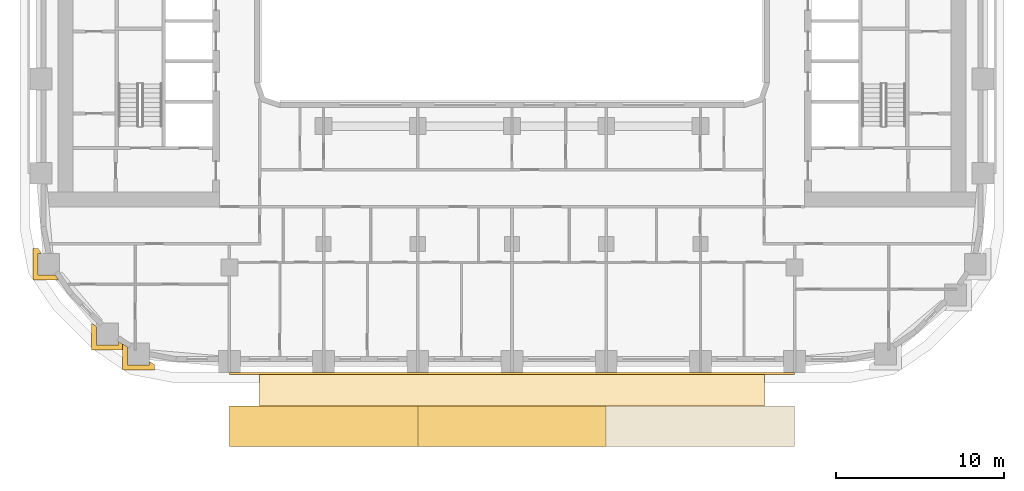
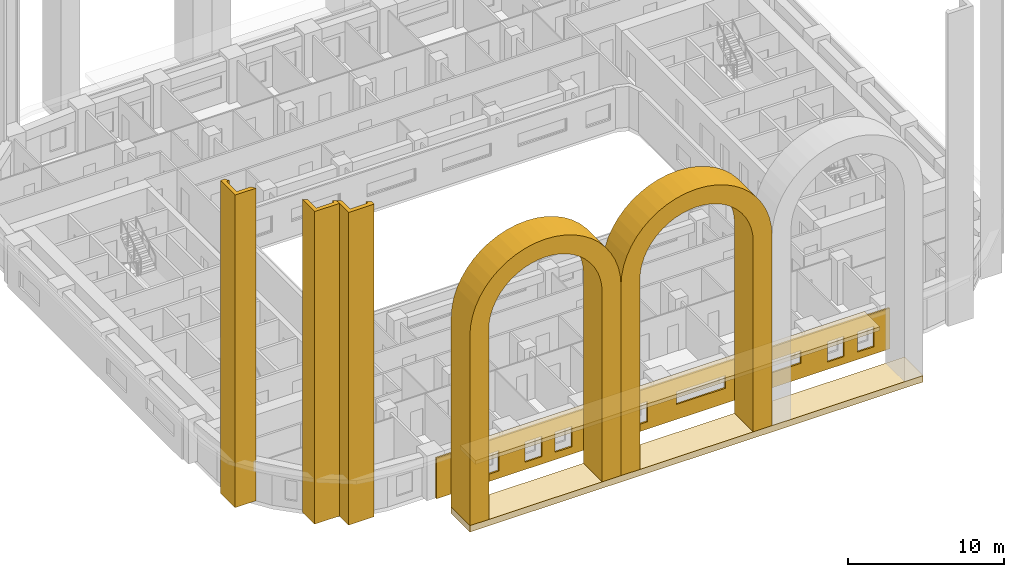
# One storey, part 12 of 19: 8 coverings.
"""IFC4 building model written with IfcOpenShell, lengths in metres."""

from ifc_helpers import new_model, si_unit, direction, frame, origin, place, context, subcontext, project, spatial, polyline, outline, extrude, material, layer, layer_set, type_object, element, save


model = new_model("IFC4")

# Units and contexts
model_context = context("Model", 3, precision=1e-05, world=origin(), true_north=direction((0.0, 1.0)))
body_context = subcontext(model_context, "Body", "Model", "MODEL_VIEW")
ifc_project = project(units=[si_unit("LENGTHUNIT", "METRE"), si_unit("AREAUNIT", "SQUARE_METRE"), si_unit("VOLUMEUNIT", "CUBIC_METRE"), si_unit("PLANEANGLEUNIT", "RADIAN"), si_unit("MASSUNIT", "GRAM", prefix="KILO")], contexts=[model_context])

# Site, building, storey
site_placement = place(None, origin())
site = spatial("IfcSite", under=ifc_project, at=site_placement, CompositionType="ELEMENT")
building_placement = place(site_placement, origin())
building = spatial("IfcBuilding", under=site, at=building_placement, Name="Kiln Ring Residences", CompositionType="ELEMENT")
storey_placement = place(building_placement, frame((0.0, 0.0, 83.300048828125)))
storey = spatial("IfcBuildingStorey", under=building, at=storey_placement, Name="L20", CompositionType="ELEMENT", Elevation=83.300048828125)

# Coverings
ifc_material_1 = material(Name="Brick masonry, dark clay brick", Category="masonry")
ifc_layer_1 = layer(ifc_material_1, 0.5)
ifc_layer_set_1 = layer_set([ifc_layer_1], Name="ARCADE PLINTH 500")
covering_type_1 = type_object("IfcCoveringType", Name="ARCADE PLINTH 500", PredefinedType="CLADDING", material=ifc_layer_set_1)
placement = place(storey_placement, origin())
element("IfcCovering", 1, at=placement, inside=storey, type_object=covering_type_1, Name="ARCADE PLINTH Z2 S", PredefinedType="CLADDING", context=body_context, shape_type="SweptSolid", body=[
    extrude(outline(polyline([(-16.800048828125, -27.449951171875), (16.800048828125, -27.449951171875), (16.800048828125, -25.050048828125), (-16.800048828125, -25.050048828125), (-16.800048828125, -27.449951171875)])), origin(), (0.0, 0.0, 1.0), 0.5),
])
ifc_material_2 = material(Name="Brick masonry, dark clay brick", Category="masonry")
ifc_layer_2 = layer(ifc_material_2, 1.39990234375)
ifc_layer_set_2 = layer_set([ifc_layer_2], Name="ARCH SURROUND 2400")
covering_type_2 = type_object("IfcCoveringType", Name="ARCH SURROUND 2400", PredefinedType="CLADDING", material=ifc_layer_set_2)
covering_2_placement = place(storey_placement, frame((-5.60009765625, -26.25, 0.5), z_axis=(0.0, 0.0, 1.0), x_axis=(-1.0, 0.0, 0.0)))
element("IfcCovering", 2, at=covering_2_placement, inside=storey, type_object=covering_type_2, Name="ARCH SURROUND Z2 S1.1", PredefinedType="CLADDING", context=body_context, shape_type="SweptSolid", body=[
    extrude(outline(polyline([(11.199951171875, 0.0), (11.199951171875, 14.89990234375), (11.152099609375, 15.630859375), (11.00927734375, 16.349365234375), (10.773681640625, 17.04296875), (10.44970703125, 17.699951171875), (10.042724609375, 18.30908203125), (9.559814453125, 18.85986328125), (9.009033203125, 19.3427734375), (8.39990234375, 19.749755859375), (7.742919921875, 20.07373046875), (7.04931640625, 20.30908203125), (6.330810546875, 20.4521484375), (5.60009765625, 20.5), (4.869140625, 20.4521484375), (4.150634765625, 20.30908203125), (3.45703125, 20.07373046875), (2.800048828125, 19.749755859375), (2.19091796875, 19.3427734375), (1.64013671875, 18.85986328125), (1.1572265625, 18.30908203125), (0.750244140625, 17.699951171875), (0.42626953125, 17.04296875), (0.19091796875, 16.349365234375), (0.0478515625, 15.630859375), (0.0, 14.89990234375), (0.0, 0.0), (1.39990234375, 0.0), (1.39990234375, 14.89990234375), (1.435791015625, 15.4482421875), (1.543212890625, 15.987060546875), (1.7197265625, 16.50732421875), (1.962646484375, 17.0), (2.267822265625, 17.456787109375), (2.630126953125, 17.869873046875), (3.043212890625, 18.23193359375), (3.5, 18.537353515625), (3.99267578125, 18.7802734375), (4.512939453125, 18.956787109375), (5.0517578125, 19.06396484375), (5.60009765625, 19.099853515625), (6.148193359375, 19.06396484375), (6.68701171875, 18.956787109375), (7.207275390625, 18.7802734375), (7.699951171875, 18.537353515625), (8.15673828125, 18.23193359375), (8.56982421875, 17.869873046875), (8.93212890625, 17.456787109375), (9.2373046875, 17.0), (9.480224609375, 16.50732421875), (9.656982421875, 15.987060546875), (9.76416015625, 15.4482421875), (9.800048828125, 14.89990234375), (9.800048828125, 0.0), (11.199951171875, 0.0)])), frame((0.0, 1.199951171875, 0.0), z_axis=(0.0, -1.0, 0.0), x_axis=(1.0, 0.0, 0.0)), (0.0, 0.0, 1.0), 2.39990234375),
])
covering_3_placement = place(storey_placement, frame((5.60009765625, -26.25, 0.5), z_axis=(0.0, 0.0, 1.0), x_axis=(-1.0, 0.0, 0.0)))
element("IfcCovering", 3, at=covering_3_placement, inside=storey, type_object=covering_type_2, Name="ARCH SURROUND Z2 S1.2", PredefinedType="CLADDING", context=body_context, shape_type="SweptSolid", body=[
    extrude(outline(polyline([(11.199951171875, 0.0), (11.199951171875, 14.89990234375), (11.152099609375, 15.630859375), (11.00927734375, 16.349365234375), (10.773681640625, 17.04296875), (10.44970703125, 17.699951171875), (10.042724609375, 18.30908203125), (9.559814453125, 18.85986328125), (9.009033203125, 19.3427734375), (8.39990234375, 19.749755859375), (7.742919921875, 20.07373046875), (7.04931640625, 20.30908203125), (6.330810546875, 20.4521484375), (5.60009765625, 20.5), (4.869140625, 20.4521484375), (4.150634765625, 20.30908203125), (3.45703125, 20.07373046875), (2.800048828125, 19.749755859375), (2.19091796875, 19.3427734375), (1.64013671875, 18.85986328125), (1.1572265625, 18.30908203125), (0.750244140625, 17.699951171875), (0.42626953125, 17.04296875), (0.19091796875, 16.349365234375), (0.0478515625, 15.630859375), (0.0, 14.89990234375), (0.0, 0.0), (1.39990234375, 0.0), (1.39990234375, 14.89990234375), (1.435791015625, 15.4482421875), (1.543212890625, 15.987060546875), (1.7197265625, 16.50732421875), (1.962646484375, 17.0), (2.267822265625, 17.456787109375), (2.630126953125, 17.869873046875), (3.043212890625, 18.23193359375), (3.5, 18.537353515625), (3.99267578125, 18.7802734375), (4.512939453125, 18.956787109375), (5.0517578125, 19.06396484375), (5.60009765625, 19.099853515625), (6.148193359375, 19.06396484375), (6.68701171875, 18.956787109375), (7.207275390625, 18.7802734375), (7.699951171875, 18.537353515625), (8.15673828125, 18.23193359375), (8.56982421875, 17.869873046875), (8.93212890625, 17.456787109375), (9.2373046875, 17.0), (9.480224609375, 16.50732421875), (9.656982421875, 15.987060546875), (9.76416015625, 15.4482421875), (9.800048828125, 14.89990234375), (9.800048828125, 0.0), (11.199951171875, 0.0)])), frame((0.0, 1.199951171875, 0.0), z_axis=(0.0, -1.0, 0.0), x_axis=(1.0, 0.0, 0.0)), (0.0, 0.0, 1.0), 2.39990234375),
])
ifc_material_3 = material(Name="Brick masonry, dark clay brick", Category="masonry")
ifc_layer_3 = layer(ifc_material_3, 0.300048828125)
ifc_layer_set_3 = layer_set([ifc_layer_3], Name="PIER CLADDING 300")
covering_type_3 = type_object("IfcCoveringType", Name="PIER CLADDING 300", PredefinedType="CLADDING", material=ifc_layer_set_3)
element("IfcCovering", 4, at=placement, inside=storey, type_object=covering_type_3, Name="PIER CLADDING L20-L26", PredefinedType="CLADDING", context=body_context, shape_type="SweptSolid", body=[
    extrude(outline(polyline([(-22.858642578125, -22.588134765625), (-22.858642578125, -21.54443359375), (-23.15869140625, -21.340576171875), (-23.15869140625, -22.88818359375), (-21.2587890625, -22.88818359375), (-21.2587890625, -22.583740234375), (-21.55859375, -22.3798828125), (-21.55859375, -22.588134765625), (-22.858642578125, -22.588134765625)])), origin(), (0.0, 0.0, 1.0), 24.5),
])
element("IfcCovering", 5, at=placement, inside=storey, type_object=covering_type_3, Name="PIER CLADDING L20-L26", PredefinedType="CLADDING", context=body_context, shape_type="SweptSolid", body=[
    extrude(outline(polyline([(-28.18359375, -15.65869140625), (-28.488037109375, -15.65869140625), (-28.488037109375, -17.55859375), (-26.940673828125, -17.55859375), (-27.144287109375, -17.2587890625), (-28.18798828125, -17.2587890625), (-28.18798828125, -15.958740234375), (-27.97998046875, -15.958740234375), (-28.18359375, -15.65869140625)])), origin(), (0.0, 0.0, 1.0), 24.5),
])
element("IfcCovering", 6, at=placement, inside=storey, type_object=covering_type_3, Name="PIER CLADDING L20-L26", PredefinedType="CLADDING", context=body_context, shape_type="SweptSolid", body=[
    extrude(outline(polyline([(-24.690185546875, -20.318115234375), (-24.990234375, -20.1142578125), (-24.990234375, -21.709716796875), (-23.090087890625, -21.709716796875), (-23.090087890625, -21.405517578125), (-23.39013671875, -21.20166015625), (-23.39013671875, -21.409912109375), (-24.690185546875, -21.409912109375), (-24.690185546875, -20.318115234375)])), origin(), (0.0, 0.0, 1.0), 24.5),
])
ifc_material_4 = material(Name="Brick masonry, dark clay brick", Category="masonry")
ifc_layer_4 = layer(ifc_material_4, 0.1201171875)
ifc_layer_set_4 = layer_set([ifc_layer_4], Name="RAINSCREEN PANEL 120")
covering_type_4 = type_object("IfcCoveringType", Name="RAINSCREEN PANEL 120", PredefinedType="CLADDING", material=ifc_layer_set_4)
covering_7_placement = place(storey_placement, frame((-16.800048828125, -23.110107421875, 0.0), z_axis=(0.0, 0.0, 1.0), x_axis=(1.0, 0.0, 0.0)))
element("IfcCovering", 7, at=covering_7_placement, inside=storey, type_object=covering_type_4, Name="RAINSCREEN L20", PredefinedType="CLADDING", context=body_context, shape_type="SweptSolid", body=[
    extrude(outline(polyline([(0.0, 0.0), (33.60009765625, 0.0), (33.60009765625, 3.199951171875), (0.0, 3.199951171875), (0.0, 0.0)]), holes=[polyline([(1.16748046875, 0.579833984375), (2.407470703125, 0.579833984375), (2.407470703125, 2.169921875), (1.16748046875, 2.169921875), (1.16748046875, 0.579833984375)]), polyline([(3.392578125, 0.579833984375), (4.632568359375, 0.579833984375), (4.632568359375, 2.169921875), (3.392578125, 2.169921875), (3.392578125, 0.579833984375)]), polyline([(6.5673828125, 0.579833984375), (7.8076171875, 0.579833984375), (7.8076171875, 2.169921875), (6.5673828125, 2.169921875), (6.5673828125, 0.579833984375)]), polyline([(8.79248046875, 2.169921875), (8.79248046875, 0.579833984375), (10.032470703125, 0.579833984375), (10.032470703125, 2.169921875), (8.79248046875, 2.169921875)]), polyline([(12.16748046875, 2.169921875), (12.16748046875, 0.579833984375), (13.407470703125, 0.579833984375), (13.407470703125, 2.169921875), (12.16748046875, 2.169921875)]), polyline([(14.392578125, 0.579833984375), (15.632568359375, 0.579833984375), (15.632568359375, 2.169921875), (14.392578125, 2.169921875), (14.392578125, 0.579833984375)]), polyline([(28.967529296875, 0.579833984375), (30.20751953125, 0.579833984375), (30.20751953125, 2.169921875), (28.967529296875, 2.169921875), (28.967529296875, 0.579833984375)]), polyline([(31.1923828125, 0.579833984375), (32.4326171875, 0.579833984375), (32.4326171875, 2.169921875), (31.1923828125, 2.169921875), (31.1923828125, 0.579833984375)]), polyline([(17.780029296875, 2.169921875), (17.780029296875, 1.179931640625), (21.419921875, 1.179931640625), (21.419921875, 2.169921875), (17.780029296875, 2.169921875)]), polyline([(23.3798828125, 2.169921875), (23.3798828125, 1.179931640625), (27.02001953125, 1.179931640625), (27.02001953125, 2.169921875), (23.3798828125, 2.169921875)])]), frame((0.0, 0.06005859375, 0.0), z_axis=(0.0, -1.0, 0.0), x_axis=(1.0, 0.0, 0.0)), (0.0, 0.0, 1.0), 0.1201171875),
])
ifc_material_5 = material(Name="Black powder-coated steel", Category="steel")
ifc_layer_5 = layer(ifc_material_5, 0.300048828125)
ifc_layer_set_5 = layer_set([ifc_layer_5], Name="SUNSHADE BAND 2000")
covering_type_5 = type_object("IfcCoveringType", Name="SUNSHADE BAND 2000", PredefinedType="CLADDING", material=ifc_layer_set_5)
covering_8_placement = place(storey_placement, frame((0.0, 0.0, 3.199951171875)))
element("IfcCovering", 8, at=covering_8_placement, inside=storey, type_object=covering_type_5, Name="SUNSHADE BAND L20", PredefinedType="CLADDING", context=body_context, shape_type="SweptSolid", body=[
    extrude(outline(polyline([(-15.0, -25.050048828125), (15.0, -25.050048828125), (15.0, -23.050048828125), (-15.0, -23.050048828125), (-15.0, -25.050048828125)])), origin(), (0.0, 0.0, 1.0), 0.300048828125),
])

save(model, "model.ifc")
